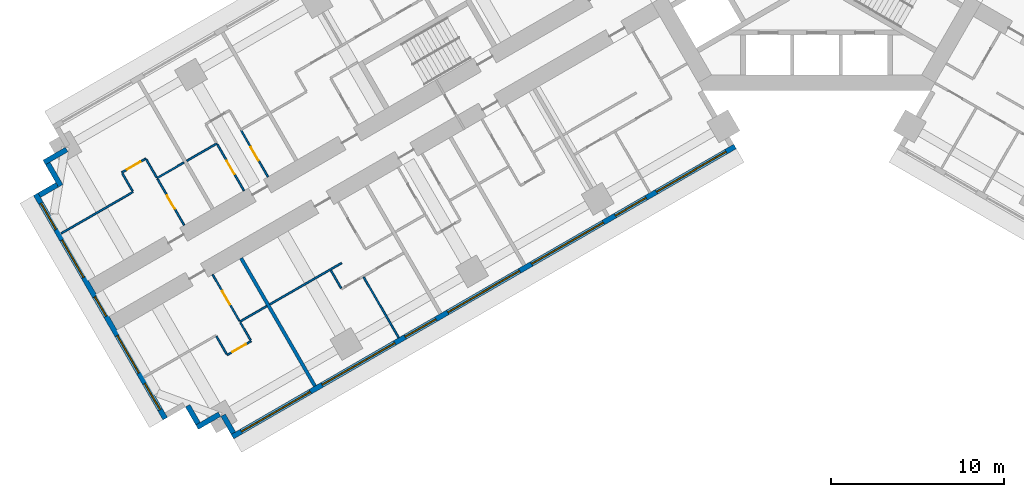
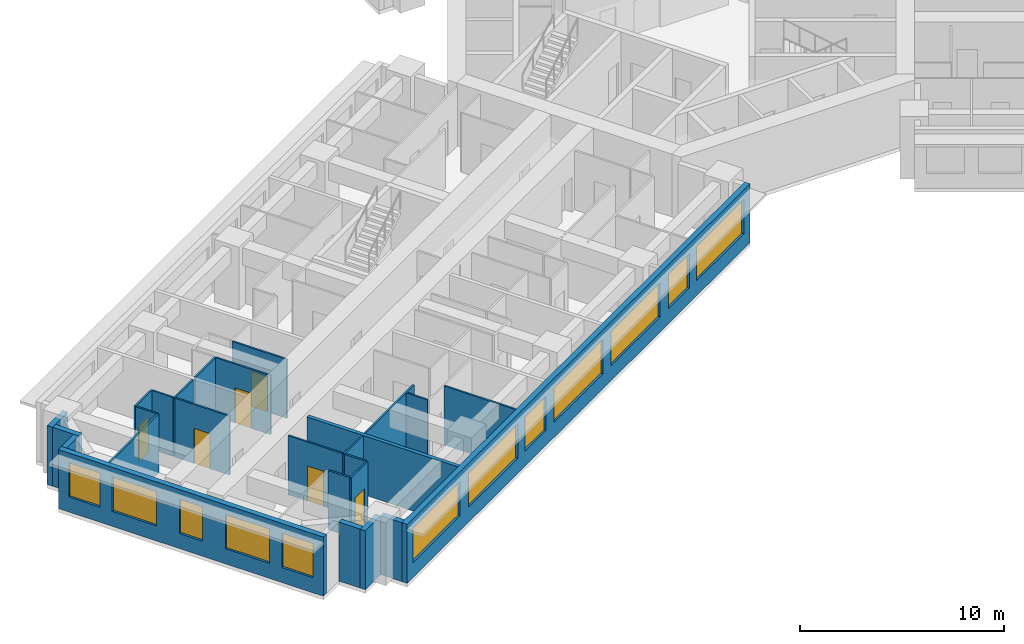
# One storey, part 3 of 16: 26 walls, 12 windows, 6 doors, 18 openings.
"""IFC4 building model written with IfcOpenShell, lengths in metres."""

from ifc_helpers import new_model, si_unit, direction, frame, frame_2d, origin, place, context, subcontext, project, spatial, rectangle, extrude, material, layer, layer_set, type_object, element, fill, save


model = new_model("IFC4")

# Units and contexts
model_context = context("Model", 3, precision=1e-05, world=origin(), true_north=direction((0.0, 1.0)))
body_context = subcontext(model_context, "Body", "Model", "MODEL_VIEW")
ifc_project = project(units=[si_unit("LENGTHUNIT", "METRE"), si_unit("AREAUNIT", "SQUARE_METRE"), si_unit("VOLUMEUNIT", "CUBIC_METRE"), si_unit("PLANEANGLEUNIT", "RADIAN"), si_unit("MASSUNIT", "GRAM", prefix="KILO")], contexts=[model_context])

# Site, building, storey
site_placement = place(None, origin())
site = spatial("IfcSite", under=ifc_project, at=site_placement, CompositionType="ELEMENT")
building_placement = place(site_placement, origin())
building = spatial("IfcBuilding", under=site, at=building_placement, Name="Impinga Residences", CompositionType="ELEMENT")
storey_placement = place(building_placement, frame((0.0, 0.0, 59.75)))
storey = spatial("IfcBuildingStorey", under=building, at=storey_placement, Name="L14", CompositionType="ELEMENT", Elevation=59.75)

# Walls
ifc_material_1 = material(Name="Terracotta rainscreen on blockwork", Category="masonry")
ifc_layer_1 = layer(ifc_material_1, 0.300048828125)
ifc_layer_set_1 = layer_set([ifc_layer_1], Name="EW1 external wall, terracotta rainscreen on blockwork 300")
wall_type_1 = type_object("IfcWallType", Name="EW1 external wall, terracotta rainscreen on blockwork 300", PredefinedType="SOLIDWALL", material=ifc_layer_set_1)
wall_1_placement = place(storey_placement, frame((-33.7685546875, -31.274169921875, 0.0), z_axis=(0.0, 0.0, 1.0), x_axis=(-0.499940577336, 0.866059708757, 0.0)))
element("IfcWall", 1, at=wall_1_placement, inside=storey, type_object=wall_type_1, Name="External wall EW1 L14", PredefinedType="SOLIDWALL", context=body_context, shape_type="SweptSolid", body=[
    extrude(rectangle(XDim=1.195068359375, YDim=0.300048828125, at=frame_2d((0.59765625, 0.0))), origin(), (0.0, 0.0, 1.0), 3.530029296875),
])
wall_2_placement = place(storey_placement, frame((-34.573486328125, -30.18017578125, 0.0), z_axis=(0.0, 0.0, 1.0), x_axis=(-0.866031096941, -0.499990139034, 0.0)))
element("IfcWall", 2, at=wall_2_placement, inside=storey, type_object=wall_type_1, Name="External wall EW1 L14", PredefinedType="SOLIDWALL", context=body_context, shape_type="SweptSolid", body=[
    extrude(rectangle(XDim=1.5, YDim=0.300048828125, at=frame_2d((0.75, 0.0))), origin(), (0.0, 0.0, 1.0), 3.530029296875),
])
wall_3_placement = place(storey_placement, frame((-35.817626953125, -30.72509765625, 0.0), z_axis=(0.0, 0.0, 1.0), x_axis=(-0.499969057507, 0.866043267704, 0.0)))
element("IfcWall", 3, at=wall_3_placement, inside=storey, type_object=wall_type_1, Name="External wall EW1 L14", PredefinedType="SOLIDWALL", context=body_context, shape_type="SweptSolid", body=[
    extrude(rectangle(XDim=1.19970703125, YDim=0.300048828125, at=frame_2d((0.599853515625, 0.0))), origin(), (0.0, 0.0, 1.0), 3.530029296875),
])

# Wall, openings, windows
wall_4_placement = place(storey_placement, frame((-37.716552734375, -30.43603515625, 0.0), z_axis=(0.0, 0.0, 1.0), x_axis=(-0.499997186618, 0.866027028085, 0.0)))
wall_4 = element("IfcWall", 4, at=wall_4_placement, inside=storey, type_object=wall_type_1, Name="External wall EW1 L14", PredefinedType="SOLIDWALL", context=body_context, shape_type="SweptSolid", body=[
    extrude(rectangle(XDim=15.0, YDim=0.300048828125, at=frame_2d((7.5, 0.0))), origin(), (0.0, 0.0, 1.0), 3.530029296875),
])
opening_1_placement = place(wall_4_placement, frame((0.60009765625, 0.0, 0.89990234375)))
opening_1 = element("IfcOpeningElement", 5, at=opening_1_placement, cuts=wall_4, Name="Opening W1", PredefinedType="OPENING", context=body_context, shape_type="SweptSolid", body=[
    extrude(rectangle(XDim=1.75, YDim=2.050048828125, at=frame_2d((0.875, 1.02490234375))), frame((0.0, 0.159912109375, 0.0), z_axis=(0.0, -1.0, 0.0), x_axis=(1.0, 0.0, 0.0)), (0.0, 0.0, 1.0), 0.320068359375),
])
opening_2_placement = place(wall_4_placement, frame((3.050048828125, 0.0, 0.89990234375)))
opening_2 = element("IfcOpeningElement", 6, at=opening_2_placement, cuts=wall_4, Name="Opening W2", PredefinedType="OPENING", context=body_context, shape_type="SweptSolid", body=[
    extrude(rectangle(XDim=2.5, YDim=2.050048828125, at=frame_2d((1.25, 1.02490234375))), frame((0.0, 0.159912109375, 0.0), z_axis=(0.0, -1.0, 0.0), x_axis=(1.0, 0.0, 0.0)), (0.0, 0.0, 1.0), 0.320068359375),
])
opening_3_placement = place(wall_4_placement, frame((6.85009765625, 0.0, 0.89990234375)))
opening_3 = element("IfcOpeningElement", 7, at=opening_3_placement, cuts=wall_4, Name="Opening WE1", PredefinedType="OPENING", context=body_context, shape_type="SweptSolid", body=[
    extrude(rectangle(XDim=1.300048828125, YDim=2.050048828125, at=frame_2d((0.64990234375, 1.02490234375))), frame((0.0, 0.159912109375, 0.0), z_axis=(0.0, -1.0, 0.0), x_axis=(1.0, 0.0, 0.0)), (0.0, 0.0, 1.0), 0.320068359375),
])
opening_4_placement = place(wall_4_placement, frame((9.449951171875, 0.0, 0.89990234375)))
opening_4 = element("IfcOpeningElement", 8, at=opening_4_placement, cuts=wall_4, Name="Opening W2", PredefinedType="OPENING", context=body_context, shape_type="SweptSolid", body=[
    extrude(rectangle(XDim=2.5, YDim=2.050048828125, at=frame_2d((1.25, 1.02490234375))), frame((0.0, 0.159912109375, 0.0), z_axis=(0.0, -1.0, 0.0), x_axis=(1.0, 0.0, 0.0)), (0.0, 0.0, 1.0), 0.320068359375),
])
opening_5_placement = place(wall_4_placement, frame((12.64990234375, 0.0, 0.89990234375)))
opening_5 = element("IfcOpeningElement", 9, at=opening_5_placement, cuts=wall_4, Name="Opening W1", PredefinedType="OPENING", context=body_context, shape_type="SweptSolid", body=[
    extrude(rectangle(XDim=1.75, YDim=2.050048828125, at=frame_2d((0.875, 1.02490234375))), frame((0.0, 0.159912109375, 0.0), z_axis=(0.0, -1.0, 0.0), x_axis=(1.0, 0.0, 0.0)), (0.0, 0.0, 1.0), 0.320068359375),
])
ifc_material_2 = material(Name="Aluminium window, clear double glazing", Category="aluminium")
window_type_1 = type_object("IfcWindowType", Name="W1 ribbon window 1750x2050", PartitioningType="SINGLE_PANEL", PredefinedType="WINDOW", material=ifc_material_2)
window_1_placement = place(opening_1_placement, origin())
window_1 = element("IfcWindow", 10, at=window_1_placement, inside=storey, type_object=window_type_1, Name="Window L14", OverallHeight=2.050048828125, OverallWidth=1.75, PartitioningType="SINGLE_PANEL", PredefinedType="WINDOW", context=body_context, shape_type="SweptSolid", body=[
    extrude(rectangle(XDim=1.75, YDim=2.050048828125, at=frame_2d((0.875, 1.02490234375))), frame((0.0, 0.030029296875, 0.0), z_axis=(0.0, -1.0, 0.0), x_axis=(1.0, 0.0, 0.0)), (0.0, 0.0, 1.0), 0.06005859375),
])
fill(opening_1, window_1)
window_2_placement = place(opening_5_placement, origin())
window_2 = element("IfcWindow", 11, at=window_2_placement, inside=storey, type_object=window_type_1, Name="Window L14", OverallHeight=2.050048828125, OverallWidth=1.75, PartitioningType="SINGLE_PANEL", PredefinedType="WINDOW", context=body_context, shape_type="SweptSolid", body=[
    extrude(rectangle(XDim=1.75, YDim=2.050048828125, at=frame_2d((0.875, 1.02490234375))), frame((0.0, 0.030029296875, 0.0), z_axis=(0.0, -1.0, 0.0), x_axis=(1.0, 0.0, 0.0)), (0.0, 0.0, 1.0), 0.06005859375),
])
fill(opening_5, window_2)
window_type_2 = type_object("IfcWindowType", Name="W2 ribbon window 2500x2050", PartitioningType="SINGLE_PANEL", PredefinedType="WINDOW", material=ifc_material_2)
window_3_placement = place(opening_2_placement, origin())
window_3 = element("IfcWindow", 12, at=window_3_placement, inside=storey, type_object=window_type_2, Name="Window L14", OverallHeight=2.050048828125, OverallWidth=2.5, PartitioningType="SINGLE_PANEL", PredefinedType="WINDOW", context=body_context, shape_type="SweptSolid", body=[
    extrude(rectangle(XDim=2.5, YDim=2.050048828125, at=frame_2d((1.25, 1.02490234375))), frame((0.0, 0.030029296875, 0.0), z_axis=(0.0, -1.0, 0.0), x_axis=(1.0, 0.0, 0.0)), (0.0, 0.0, 1.0), 0.06005859375),
])
fill(opening_2, window_3)
window_4_placement = place(opening_4_placement, origin())
window_4 = element("IfcWindow", 13, at=window_4_placement, inside=storey, type_object=window_type_2, Name="Window L14", OverallHeight=2.050048828125, OverallWidth=2.5, PartitioningType="SINGLE_PANEL", PredefinedType="WINDOW", context=body_context, shape_type="SweptSolid", body=[
    extrude(rectangle(XDim=2.5, YDim=2.050048828125, at=frame_2d((1.25, 1.02490234375))), frame((0.0, 0.030029296875, 0.0), z_axis=(0.0, -1.0, 0.0), x_axis=(1.0, 0.0, 0.0)), (0.0, 0.0, 1.0), 0.06005859375),
])
fill(opening_4, window_4)
window_type_3 = type_object("IfcWindowType", Name="WE1 corridor window 1300x2050", PartitioningType="SINGLE_PANEL", PredefinedType="WINDOW", material=ifc_material_2)
window_5_placement = place(opening_3_placement, origin())
window_5 = element("IfcWindow", 14, at=window_5_placement, inside=storey, type_object=window_type_3, Name="Window L14", OverallHeight=2.050048828125, OverallWidth=1.300048828125, PartitioningType="SINGLE_PANEL", PredefinedType="WINDOW", context=body_context, shape_type="SweptSolid", body=[
    extrude(rectangle(XDim=1.300048828125, YDim=2.050048828125, at=frame_2d((0.64990234375, 1.02490234375))), frame((0.0, 0.030029296875, 0.0), z_axis=(0.0, -1.0, 0.0), x_axis=(1.0, 0.0, 0.0)), (0.0, 0.0, 1.0), 0.06005859375),
])
fill(opening_3, window_5)

# Walls
wall_5_placement = place(storey_placement, frame((-45.01171875, -17.50048828125, 0.0), z_axis=(0.0, 0.0, 1.0), x_axis=(0.866059708757, 0.499940577336, 0.0)))
element("IfcWall", 15, at=wall_5_placement, inside=storey, type_object=wall_type_1, Name="External wall EW1 L14", PredefinedType="SOLIDWALL", context=body_context, shape_type="SweptSolid", body=[
    extrude(rectangle(XDim=1.195068359375, YDim=0.300048828125, at=frame_2d((0.59765625, 0.0))), origin(), (0.0, 0.0, 1.0), 3.530029296875),
])
for number, where, z_axis, x_axis, name in (
    (16, (-43.767578125, -16.955322265625, 0.0), (0.0, 0.0, 1.0), (-0.499990139034, 0.866031096941, 0.0), "External wall EW1 L14"),
    (17, (-44.722412109375, -15.6015625, 0.0), (0.0, 0.0, 1.0), (0.866031096941, 0.499990139034, 0.0), "External wall EW1 L14"),
):
    element("IfcWall", number, at=place(storey_placement, frame(where, z_axis=z_axis, x_axis=x_axis)), inside=storey, type_object=wall_type_1, Name=name, PredefinedType="SOLIDWALL", context=body_context, shape_type="SweptSolid", body=[
        extrude(rectangle(XDim=1.5, YDim=0.300048828125, at=frame_2d((0.75, 0.0))), origin(), (0.0, 0.0, 1.0), 3.530029296875),
    ])

# Wall, openings, windows
wall_6_placement = place(storey_placement, frame((-4.72509765625, -14.67919921875, 0.0), z_axis=(0.0, 0.0, 1.0), x_axis=(-0.866024291668, -0.500001926238, 0.0)))
wall_6 = element("IfcWall", 18, at=wall_6_placement, inside=storey, type_object=wall_type_1, Name="External wall EW1 L14", PredefinedType="SOLIDWALL", context=body_context, shape_type="SweptSolid", body=[
    extrude(rectangle(XDim=33.599853515625, YDim=0.300048828125, at=frame_2d((16.7998046875, 0.0))), origin(), (0.0, 0.0, 1.0), 3.530029296875),
])
opening_6_placement = place(wall_6_placement, frame((0.60009765625, 0.0, 0.89990234375)))
opening_6 = element("IfcOpeningElement", 19, at=opening_6_placement, cuts=wall_6, Name="Opening W10", PredefinedType="OPENING", context=body_context, shape_type="SweptSolid", body=[
    extrude(rectangle(XDim=4.64990234375, YDim=2.050048828125, at=frame_2d((2.324951171875, 1.02490234375))), frame((0.0, 0.159912109375, 0.0), z_axis=(0.0, -1.0, 0.0), x_axis=(1.0, 0.0, 0.0)), (0.0, 0.0, 1.0), 0.320068359375),
])
opening_7_placement = place(wall_6_placement, frame((5.949951171875, 0.0, 0.89990234375)))
opening_7 = element("IfcOpeningElement", 20, at=opening_7_placement, cuts=wall_6, Name="Opening W14", PredefinedType="OPENING", context=body_context, shape_type="SweptSolid", body=[
    extrude(rectangle(XDim=2.050048828125, YDim=2.050048828125, at=frame_2d((1.02490234375, 1.02490234375))), frame((0.0, 0.159912109375, 0.0), z_axis=(0.0, -1.0, 0.0), x_axis=(1.0, 0.0, 0.0)), (0.0, 0.0, 1.0), 0.320068359375),
])
opening_8_placement = place(wall_6_placement, frame((8.800048828125, 0.0, 0.89990234375)))
opening_8 = element("IfcOpeningElement", 21, at=opening_8_placement, cuts=wall_6, Name="Opening W8", PredefinedType="OPENING", context=body_context, shape_type="SweptSolid", body=[
    extrude(rectangle(XDim=4.800048828125, YDim=2.050048828125, at=frame_2d((2.39990234375, 1.02490234375))), frame((0.0, 0.159912109375, 0.0), z_axis=(0.0, -1.0, 0.0), x_axis=(1.0, 0.0, 0.0)), (0.0, 0.0, 1.0), 0.320068359375),
])
opening_9_placement = place(wall_6_placement, frame((14.39990234375, 0.0, 0.89990234375)))
opening_9 = element("IfcOpeningElement", 22, at=opening_9_placement, cuts=wall_6, Name="Opening W8", PredefinedType="OPENING", context=body_context, shape_type="SweptSolid", body=[
    extrude(rectangle(XDim=4.800048828125, YDim=2.050048828125, at=frame_2d((2.39990234375, 1.02490234375))), frame((0.0, 0.159912109375, 0.0), z_axis=(0.0, -1.0, 0.0), x_axis=(1.0, 0.0, 0.0)), (0.0, 0.0, 1.0), 0.320068359375),
])
opening_10_placement = place(wall_6_placement, frame((20.0, 0.0, 0.89990234375)))
opening_10 = element("IfcOpeningElement", 23, at=opening_10_placement, cuts=wall_6, Name="Opening W14", PredefinedType="OPENING", context=body_context, shape_type="SweptSolid", body=[
    extrude(rectangle(XDim=2.050048828125, YDim=2.050048828125, at=frame_2d((1.02490234375, 1.02490234375))), frame((0.0, 0.159912109375, 0.0), z_axis=(0.0, -1.0, 0.0), x_axis=(1.0, 0.0, 0.0)), (0.0, 0.0, 1.0), 0.320068359375),
])
opening_11_placement = place(wall_6_placement, frame((22.75, 0.0, 0.89990234375)))
opening_11 = element("IfcOpeningElement", 24, at=opening_11_placement, cuts=wall_6, Name="Opening W6", PredefinedType="OPENING", context=body_context, shape_type="SweptSolid", body=[
    extrude(rectangle(XDim=4.85009765625, YDim=2.050048828125, at=frame_2d((2.425048828125, 1.02490234375))), frame((0.0, 0.159912109375, 0.0), z_axis=(0.0, -1.0, 0.0), x_axis=(1.0, 0.0, 0.0)), (0.0, 0.0, 1.0), 0.320068359375),
])
opening_12_placement = place(wall_6_placement, frame((28.39990234375, 0.0, 0.89990234375)))
opening_12 = element("IfcOpeningElement", 25, at=opening_12_placement, cuts=wall_6, Name="Opening W3", PredefinedType="OPENING", context=body_context, shape_type="SweptSolid", body=[
    extrude(rectangle(XDim=4.60009765625, YDim=2.050048828125, at=frame_2d((2.300048828125, 1.02490234375))), frame((0.0, 0.159912109375, 0.0), z_axis=(0.0, -1.0, 0.0), x_axis=(1.0, 0.0, 0.0)), (0.0, 0.0, 1.0), 0.320068359375),
])
window_type_4 = type_object("IfcWindowType", Name="W10 ribbon window 4650x2050", PartitioningType="SINGLE_PANEL", PredefinedType="WINDOW", material=ifc_material_2)
window_6_placement = place(opening_6_placement, origin())
window_6 = element("IfcWindow", 26, at=window_6_placement, inside=storey, type_object=window_type_4, Name="Window L14", OverallHeight=2.050048828125, OverallWidth=4.64990234375, PartitioningType="SINGLE_PANEL", PredefinedType="WINDOW", context=body_context, shape_type="SweptSolid", body=[
    extrude(rectangle(XDim=4.64990234375, YDim=2.050048828125, at=frame_2d((2.324951171875, 1.02490234375))), frame((0.0, 0.030029296875, 0.0), z_axis=(0.0, -1.0, 0.0), x_axis=(1.0, 0.0, 0.0)), (0.0, 0.0, 1.0), 0.06005859375),
])
fill(opening_6, window_6)
window_type_5 = type_object("IfcWindowType", Name="W14 ribbon window 2050x2050", PartitioningType="SINGLE_PANEL", PredefinedType="WINDOW", material=ifc_material_2)
window_7_placement = place(opening_7_placement, origin())
window_7 = element("IfcWindow", 27, at=window_7_placement, inside=storey, type_object=window_type_5, Name="Window L14", OverallHeight=2.050048828125, OverallWidth=2.050048828125, PartitioningType="SINGLE_PANEL", PredefinedType="WINDOW", context=body_context, shape_type="SweptSolid", body=[
    extrude(rectangle(XDim=2.050048828125, YDim=2.050048828125, at=frame_2d((1.02490234375, 1.02490234375))), frame((0.0, 0.030029296875, 0.0), z_axis=(0.0, -1.0, 0.0), x_axis=(1.0, 0.0, 0.0)), (0.0, 0.0, 1.0), 0.06005859375),
])
fill(opening_7, window_7)
window_8_placement = place(opening_10_placement, origin())
window_8 = element("IfcWindow", 28, at=window_8_placement, inside=storey, type_object=window_type_5, Name="Window L14", OverallHeight=2.050048828125, OverallWidth=2.050048828125, PartitioningType="SINGLE_PANEL", PredefinedType="WINDOW", context=body_context, shape_type="SweptSolid", body=[
    extrude(rectangle(XDim=2.050048828125, YDim=2.050048828125, at=frame_2d((1.02490234375, 1.02490234375))), frame((0.0, 0.030029296875, 0.0), z_axis=(0.0, -1.0, 0.0), x_axis=(1.0, 0.0, 0.0)), (0.0, 0.0, 1.0), 0.06005859375),
])
fill(opening_10, window_8)
window_type_6 = type_object("IfcWindowType", Name="W3 ribbon window 4600x2050", PartitioningType="SINGLE_PANEL", PredefinedType="WINDOW", material=ifc_material_2)
window_9_placement = place(opening_12_placement, origin())
window_9 = element("IfcWindow", 29, at=window_9_placement, inside=storey, type_object=window_type_6, Name="Window L14", OverallHeight=2.050048828125, OverallWidth=4.60009765625, PartitioningType="SINGLE_PANEL", PredefinedType="WINDOW", context=body_context, shape_type="SweptSolid", body=[
    extrude(rectangle(XDim=4.60009765625, YDim=2.050048828125, at=frame_2d((2.300048828125, 1.02490234375))), frame((0.0, 0.030029296875, 0.0), z_axis=(0.0, -1.0, 0.0), x_axis=(1.0, 0.0, 0.0)), (0.0, 0.0, 1.0), 0.06005859375),
])
fill(opening_12, window_9)
window_type_7 = type_object("IfcWindowType", Name="W6 ribbon window 4850x2050", PartitioningType="SINGLE_PANEL", PredefinedType="WINDOW", material=ifc_material_2)
window_10_placement = place(opening_11_placement, origin())
window_10 = element("IfcWindow", 30, at=window_10_placement, inside=storey, type_object=window_type_7, Name="Window L14", OverallHeight=2.050048828125, OverallWidth=4.85009765625, PartitioningType="SINGLE_PANEL", PredefinedType="WINDOW", context=body_context, shape_type="SweptSolid", body=[
    extrude(rectangle(XDim=4.85009765625, YDim=2.050048828125, at=frame_2d((2.425048828125, 1.02490234375))), frame((0.0, 0.030029296875, 0.0), z_axis=(0.0, -1.0, 0.0), x_axis=(1.0, 0.0, 0.0)), (0.0, 0.0, 1.0), 0.06005859375),
])
fill(opening_11, window_10)
window_type_8 = type_object("IfcWindowType", Name="W8 ribbon window 4800x2050", PartitioningType="SINGLE_PANEL", PredefinedType="WINDOW", material=ifc_material_2)
window_11_placement = place(opening_8_placement, origin())
window_11 = element("IfcWindow", 31, at=window_11_placement, inside=storey, type_object=window_type_8, Name="Window L14", OverallHeight=2.050048828125, OverallWidth=4.800048828125, PartitioningType="SINGLE_PANEL", PredefinedType="WINDOW", context=body_context, shape_type="SweptSolid", body=[
    extrude(rectangle(XDim=4.800048828125, YDim=2.050048828125, at=frame_2d((2.39990234375, 1.02490234375))), frame((0.0, 0.030029296875, 0.0), z_axis=(0.0, -1.0, 0.0), x_axis=(1.0, 0.0, 0.0)), (0.0, 0.0, 1.0), 0.06005859375),
])
fill(opening_8, window_11)
window_12_placement = place(opening_9_placement, origin())
window_12 = element("IfcWindow", 32, at=window_12_placement, inside=storey, type_object=window_type_8, Name="Window L14", OverallHeight=2.050048828125, OverallWidth=4.800048828125, PartitioningType="SINGLE_PANEL", PredefinedType="WINDOW", context=body_context, shape_type="SweptSolid", body=[
    extrude(rectangle(XDim=4.800048828125, YDim=2.050048828125, at=frame_2d((2.39990234375, 1.02490234375))), frame((0.0, 0.030029296875, 0.0), z_axis=(0.0, -1.0, 0.0), x_axis=(1.0, 0.0, 0.0)), (0.0, 0.0, 1.0), 0.06005859375),
])
fill(opening_9, window_12)

# Walls
ifc_material_3 = material(Name="Gypsum board on steel studs", Category="steel")
ifc_layer_2 = layer(ifc_material_3, 0.10009765625)
ifc_layer_set_2 = layer_set([ifc_layer_2], Name="Gypsum board on steel studs")
wall_type_2 = type_object("IfcWallType", Name="IP1 partition 100", PredefinedType="PARTITIONING", material=ifc_layer_set_2)
wall_7_placement = place(storey_placement, frame((-27.505126953125, -21.422607421875, 0.0), z_axis=(0.0, 0.0, 1.0), x_axis=(-0.866015339567, -0.500017431331, 0.0)))
element("IfcWall", 33, at=wall_7_placement, inside=storey, type_object=wall_type_2, Name="Partition L14-WA4:DIV1", PredefinedType="PARTITIONING", context=body_context, shape_type="SweptSolid", body=[
    extrude(rectangle(XDim=4.800048828125, YDim=0.10009765625, at=frame_2d((2.39990234375, 0.0))), origin(), (0.0, 0.0, 1.0), 3.530029296875),
])
wall_8_placement = place(storey_placement, frame((-28.129638671875, -21.841064453125, 0.0), z_axis=(0.0, 0.0, 1.0), x_axis=(0.499969057507, -0.866043267704, 0.0)))
element("IfcWall", 34, at=wall_8_placement, inside=storey, type_object=wall_type_2, Name="Partition L14-WA4:SE1", PredefinedType="PARTITIONING", context=body_context, shape_type="SweptSolid", body=[
    extrude(rectangle(XDim=1.19970703125, YDim=0.10009765625, at=frame_2d((0.599853515625, 0.0))), origin(), (0.0, 0.0, 1.0), 3.530029296875),
])
wall_9_placement = place(storey_placement, frame((-26.223876953125, -22.241943359375, 0.0), z_axis=(0.0, 0.0, 1.0), x_axis=(0.499990325971, -0.866030989016, 0.0)))
element("IfcWall", 35, at=wall_9_placement, inside=storey, type_object=wall_type_2, Name="Partition L14-WA4:OB1", PredefinedType="PARTITIONING", context=body_context, shape_type="SweptSolid", body=[
    extrude(rectangle(XDim=4.0498046875, YDim=0.10009765625, at=frame_2d((2.02490234375, 0.0))), origin(), (0.0, 0.0, 1.0), 3.530029296875),
])
wall_10_placement = place(storey_placement, frame((-31.835205078125, -23.922607421875, 0.0), z_axis=(0.0, 0.0, 1.0), x_axis=(-0.865989075817, -0.500062916607, 0.0)))
element("IfcWall", 36, at=wall_10_placement, inside=storey, type_object=wall_type_2, Name="Partition L14-WA5:DIV0", PredefinedType="PARTITIONING", context=body_context, shape_type="SweptSolid", body=[
    extrude(rectangle(XDim=1.800048828125, YDim=0.10009765625, at=frame_2d((0.89990234375, 0.0))), origin(), (0.0, 0.0, 1.0), 3.530029296875),
])

# Wall, opening, door
wall_11_placement = place(storey_placement, frame((-32.744140625, -25.948486328125, 0.0), z_axis=(0.0, 0.0, 1.0), x_axis=(-0.866028054938, -0.499995408039, 0.0)))
wall_11 = element("IfcWall", 37, at=wall_11_placement, inside=storey, type_object=wall_type_2, Name="Partition L14-WA5:STRIP", PredefinedType="PARTITIONING", context=body_context, shape_type="SweptSolid", body=[
    extrude(rectangle(XDim=1.60009765625, YDim=0.10009765625, at=frame_2d((0.800048828125, 0.0))), origin(), (0.0, 0.0, 1.0), 3.530029296875),
])
opening_13_placement = place(wall_11_placement, frame((0.35009765625, 0.0, 0.0)))
opening_13 = element("IfcOpeningElement", 38, at=opening_13_placement, cuts=wall_11, Name="Opening D2", PredefinedType="OPENING", context=body_context, shape_type="SweptSolid", body=[
    extrude(rectangle(XDim=0.89990234375, YDim=2.10009765625, at=frame_2d((0.449951171875, 1.050048828125))), frame((0.0, 0.06005859375, 0.0), z_axis=(0.0, -1.0, 0.0), x_axis=(1.0, 0.0, 0.0)), (0.0, 0.0, 1.0), 0.1201171875),
])
ifc_material_4 = material(Name="Timber door set", Category="wood")
door_type = type_object("IfcDoorType", Name="D2 internal door 900x2100", OperationType="SINGLE_SWING_LEFT", PredefinedType="DOOR", material=ifc_material_4)
door_1_placement = place(opening_13_placement, origin())
door_1 = element("IfcDoor", 39, at=door_1_placement, inside=storey, type_object=door_type, Name="Apartment L14-WA5 room door", OperationType="SINGLE_SWING_LEFT", OverallHeight=2.10009765625, OverallWidth=0.89990234375, PredefinedType="DOOR", context=body_context, shape_type="SweptSolid", body=[
    extrude(rectangle(XDim=0.89990234375, YDim=2.10009765625, at=frame_2d((0.449951171875, 1.050048828125))), frame((0.0, 0.02490234375, 0.0), z_axis=(0.0, -1.0, 0.0), x_axis=(1.0, 0.0, 0.0)), (0.0, 0.0, 1.0), 0.050048828125),
])
fill(opening_13, door_1)

# Walls
for number, where, z_axis, x_axis, name in (
    (40, (-33.369140625, -24.865966796875, 0.0), (0.0, 0.0, 1.0), (0.500033551112, -0.866006032174, 0.0), "Partition L14-WA5:SE0"),
    (41, (-34.7548828125, -25.666015625, 0.0), (0.0, 0.0, 1.0), (0.500033551112, -0.866006032174, 0.0), "Partition L14-WA5:SE1"),
):
    element("IfcWall", number, at=place(storey_placement, frame(where, z_axis=z_axis, x_axis=x_axis)), inside=storey, type_object=wall_type_2, Name=name, PredefinedType="PARTITIONING", context=body_context, shape_type="SweptSolid", body=[
        extrude(rectangle(XDim=1.2001953125, YDim=0.10009765625, at=frame_2d((0.60009765625, 0.0))), origin(), (0.0, 0.0, 1.0), 3.530029296875),
    ])

# Wall, opening, door
wall_12_placement = place(storey_placement, frame((-34.96923828125, -22.0947265625, 0.0), z_axis=(0.0, 0.0, 1.0), x_axis=(0.500026960575, -0.86600983753, 0.0)))
wall_12 = element("IfcWall", 42, at=wall_12_placement, inside=storey, type_object=wall_type_2, Name="Partition L14-WA5:IB1", PredefinedType="PARTITIONING", context=body_context, shape_type="SweptSolid", body=[
    extrude(rectangle(XDim=3.099853515625, YDim=0.10009765625, at=frame_2d((1.5498046875, 0.0))), origin(), (0.0, 0.0, 1.0), 3.530029296875),
])
opening_14_placement = place(wall_12_placement, frame((1.10009765625, 0.0, 0.0)))
opening_14 = element("IfcOpeningElement", 43, at=opening_14_placement, cuts=wall_12, Name="Opening D2", PredefinedType="OPENING", context=body_context, shape_type="SweptSolid", body=[
    extrude(rectangle(XDim=0.89990234375, YDim=2.10009765625, at=frame_2d((0.449951171875, 1.050048828125))), frame((0.0, 0.06005859375, 0.0), z_axis=(0.0, -1.0, 0.0), x_axis=(1.0, 0.0, 0.0)), (0.0, 0.0, 1.0), 0.1201171875),
])
door_2_placement = place(opening_14_placement, origin())
door_2 = element("IfcDoor", 44, at=door_2_placement, inside=storey, type_object=door_type, Name="Apartment L14-WA5 bathroom door", OperationType="SINGLE_SWING_LEFT", OverallHeight=2.10009765625, OverallWidth=0.89990234375, PredefinedType="DOOR", context=body_context, shape_type="SweptSolid", body=[
    extrude(rectangle(XDim=0.89990234375, YDim=2.10009765625, at=frame_2d((0.449951171875, 1.050048828125))), frame((0.0, 0.02490234375, 0.0), z_axis=(0.0, -1.0, 0.0), x_axis=(1.0, 0.0, 0.0)), (0.0, 0.0, 1.0), 0.050048828125),
])
fill(opening_14, door_2)

# Wall
wall_13_placement = place(storey_placement, frame((-34.72998046875, -14.5087890625, 0.0), z_axis=(0.0, 0.0, 1.0), x_axis=(-0.866041268327, -0.499972520799, 0.0)))
element("IfcWall", 45, at=wall_13_placement, inside=storey, type_object=wall_type_2, Name="Partition L14-WF3:DIV1", PredefinedType="PARTITIONING", context=body_context, shape_type="SweptSolid", body=[
    extrude(rectangle(XDim=2.0, YDim=0.10009765625, at=frame_2d((1.0, 0.0))), origin(), (0.0, 0.0, 1.0), 3.530029296875),
])

# Wall, opening, door
wall_14_placement = place(storey_placement, frame((-31.76953125, -16.436767578125, 0.0), z_axis=(0.0, 0.0, 1.0), x_axis=(-0.499967891604, 0.866043940782, 0.0)))
wall_14 = element("IfcWall", 46, at=wall_14_placement, inside=storey, type_object=wall_type_2, Name="Partition L14-WF3:IB1", PredefinedType="PARTITIONING", context=body_context, shape_type="SweptSolid", body=[
    extrude(rectangle(XDim=3.099853515625, YDim=0.10009765625, at=frame_2d((1.5498046875, 0.0))), origin(), (0.0, 0.0, 1.0), 3.530029296875),
])
opening_15_placement = place(wall_14_placement, frame((1.10009765625, 0.0, 0.0)))
opening_15 = element("IfcOpeningElement", 47, at=opening_15_placement, cuts=wall_14, Name="Opening D2", PredefinedType="OPENING", context=body_context, shape_type="SweptSolid", body=[
    extrude(rectangle(XDim=0.89990234375, YDim=2.10009765625, at=frame_2d((0.449951171875, 1.050048828125))), frame((0.0, 0.06005859375, 0.0), z_axis=(0.0, -1.0, 0.0), x_axis=(1.0, 0.0, 0.0)), (0.0, 0.0, 1.0), 0.1201171875),
])
door_3_placement = place(opening_15_placement, origin())
door_3 = element("IfcDoor", 48, at=door_3_placement, inside=storey, type_object=door_type, Name="Apartment L14-WF3 bathroom door", OperationType="SINGLE_SWING_LEFT", OverallHeight=2.10009765625, OverallWidth=0.89990234375, PredefinedType="DOOR", context=body_context, shape_type="SweptSolid", body=[
    extrude(rectangle(XDim=0.89990234375, YDim=2.10009765625, at=frame_2d((0.449951171875, 1.050048828125))), frame((0.0, 0.02490234375, 0.0), z_axis=(0.0, -1.0, 0.0), x_axis=(1.0, 0.0, 0.0)), (0.0, 0.0, 1.0), 0.050048828125),
])
fill(opening_15, door_3)

wall_15_placement = place(storey_placement, frame((-33.155029296875, -17.23681640625, 0.0), z_axis=(0.0, 0.0, 1.0), x_axis=(-0.500026960575, 0.86600983753, 0.0)))
wall_15 = element("IfcWall", 49, at=wall_15_placement, inside=storey, type_object=wall_type_2, Name="Partition L14-WF3:IB2", PredefinedType="PARTITIONING", context=body_context, shape_type="SweptSolid", body=[
    extrude(rectangle(XDim=3.099853515625, YDim=0.10009765625, at=frame_2d((1.5498046875, 0.0))), origin(), (0.0, 0.0, 1.0), 3.530029296875),
])
opening_16_placement = place(wall_15_placement, frame((1.10009765625, 0.0, 0.0)))
opening_16 = element("IfcOpeningElement", 50, at=opening_16_placement, cuts=wall_15, Name="Opening D2", PredefinedType="OPENING", context=body_context, shape_type="SweptSolid", body=[
    extrude(rectangle(XDim=0.89990234375, YDim=2.10009765625, at=frame_2d((0.449951171875, 1.050048828125))), frame((0.0, 0.06005859375, 0.0), z_axis=(0.0, -1.0, 0.0), x_axis=(1.0, 0.0, 0.0)), (0.0, 0.0, 1.0), 0.1201171875),
])
door_4_placement = place(opening_16_placement, origin())
door_4 = element("IfcDoor", 51, at=door_4_placement, inside=storey, type_object=door_type, Name="Apartment L14-WF3 WC door", OperationType="SINGLE_SWING_LEFT", OverallHeight=2.10009765625, OverallWidth=0.89990234375, PredefinedType="DOOR", context=body_context, shape_type="SweptSolid", body=[
    extrude(rectangle(XDim=0.89990234375, YDim=2.10009765625, at=frame_2d((0.449951171875, 1.050048828125))), frame((0.0, 0.02490234375, 0.0), z_axis=(0.0, -1.0, 0.0), x_axis=(1.0, 0.0, 0.0)), (0.0, 0.0, 1.0), 0.050048828125),
])
fill(opening_16, door_4)

# Walls
wall_16_placement = place(storey_placement, frame((-36.63525390625, -15.60888671875, 0.0), z_axis=(0.0, 0.0, 1.0), x_axis=(-0.866047807691, -0.499961193289, 0.0)))
element("IfcWall", 52, at=wall_16_placement, inside=storey, type_object=wall_type_2, Name="Partition L14-WF4:DIV0", PredefinedType="PARTITIONING", context=body_context, shape_type="SweptSolid", body=[
    extrude(rectangle(XDim=1.800048828125, YDim=0.10009765625, at=frame_2d((0.89990234375, 0.0))), origin(), (0.0, 0.0, 1.0), 3.530029296875),
])
wall_17_placement = place(storey_placement, frame((-39.579833984375, -17.308837890625, 0.0), z_axis=(0.0, 0.0, 1.0), x_axis=(-0.866037363387, -0.499979284789, 0.0)))
element("IfcWall", 53, at=wall_17_placement, inside=storey, type_object=wall_type_2, Name="Partition L14-WF4:DIV1", PredefinedType="PARTITIONING", context=body_context, shape_type="SweptSolid", body=[
    extrude(rectangle(XDim=4.800048828125, YDim=0.10009765625, at=frame_2d((2.39990234375, 0.0))), origin(), (0.0, 0.0, 1.0), 3.530029296875),
])

# Wall, opening, door
wall_18_placement = place(storey_placement, frame((-38.84423828125, -15.383056640625, 0.0), z_axis=(0.0, 0.0, 1.0), x_axis=(-0.865989903783, -0.500061482766, 0.0)))
wall_18 = element("IfcWall", 54, at=wall_18_placement, inside=storey, type_object=wall_type_2, Name="Partition L14-WF4:STRIP", PredefinedType="PARTITIONING", context=body_context, shape_type="SweptSolid", body=[
    extrude(rectangle(XDim=1.599853515625, YDim=0.10009765625, at=frame_2d((0.7998046875, 0.0))), origin(), (0.0, 0.0, 1.0), 3.530029296875),
])
opening_17_placement = place(wall_18_placement, frame((0.35009765625, 0.0, 0.0)))
opening_17 = element("IfcOpeningElement", 55, at=opening_17_placement, cuts=wall_18, Name="Opening D2", PredefinedType="OPENING", context=body_context, shape_type="SweptSolid", body=[
    extrude(rectangle(XDim=0.89990234375, YDim=2.10009765625, at=frame_2d((0.449951171875, 1.050048828125))), frame((0.0, 0.06005859375, 0.0), z_axis=(0.0, -1.0, 0.0), x_axis=(1.0, 0.0, 0.0)), (0.0, 0.0, 1.0), 0.1201171875),
])
door_5_placement = place(opening_17_placement, origin())
door_5 = element("IfcDoor", 56, at=door_5_placement, inside=storey, type_object=door_type, Name="Apartment L14-WF4 room door", OperationType="SINGLE_SWING_LEFT", OverallHeight=2.10009765625, OverallWidth=0.89990234375, PredefinedType="DOOR", context=body_context, shape_type="SweptSolid", body=[
    extrude(rectangle(XDim=0.89990234375, YDim=2.10009765625, at=frame_2d((0.449951171875, 1.050048828125))), frame((0.0, 0.02490234375, 0.0), z_axis=(0.0, -1.0, 0.0), x_axis=(1.0, 0.0, 0.0)), (0.0, 0.0, 1.0), 0.050048828125),
])
fill(opening_17, door_5)

# Walls
wall_19_placement = place(storey_placement, frame((-38.21923828125, -16.465576171875, 0.0), z_axis=(0.0, 0.0, 1.0), x_axis=(-0.499880961361, 0.866094119867, 0.0)))
element("IfcWall", 57, at=wall_19_placement, inside=storey, type_object=wall_type_2, Name="Partition L14-WF4:SE0", PredefinedType="PARTITIONING", context=body_context, shape_type="SweptSolid", body=[
    extrude(rectangle(XDim=1.199951171875, YDim=0.10009765625, at=frame_2d((0.60009765625, 0.0))), origin(), (0.0, 0.0, 1.0), 3.530029296875),
])
wall_20_placement = place(storey_placement, frame((-39.604736328125, -17.265625, 0.0), z_axis=(0.0, 0.0, 1.0), x_axis=(-0.500033551112, 0.866006032174, 0.0)))
element("IfcWall", 58, at=wall_20_placement, inside=storey, type_object=wall_type_2, Name="Partition L14-WF4:SE1", PredefinedType="PARTITIONING", context=body_context, shape_type="SweptSolid", body=[
    extrude(rectangle(XDim=1.2001953125, YDim=0.10009765625, at=frame_2d((0.60009765625, 0.0))), origin(), (0.0, 0.0, 1.0), 3.530029296875),
])

# Wall, opening, door
wall_21_placement = place(storey_placement, frame((-36.619140625, -19.23681640625, 0.0), z_axis=(0.0, 0.0, 1.0), x_axis=(-0.500026960575, 0.86600983753, 0.0)))
wall_21 = element("IfcWall", 59, at=wall_21_placement, inside=storey, type_object=wall_type_2, Name="Partition L14-WF4:IB1", PredefinedType="PARTITIONING", context=body_context, shape_type="SweptSolid", body=[
    extrude(rectangle(XDim=3.099853515625, YDim=0.10009765625, at=frame_2d((1.5498046875, 0.0))), origin(), (0.0, 0.0, 1.0), 3.530029296875),
])
opening_18_placement = place(wall_21_placement, frame((1.10009765625, 0.0, 0.0)))
opening_18 = element("IfcOpeningElement", 60, at=opening_18_placement, cuts=wall_21, Name="Opening D2", PredefinedType="OPENING", context=body_context, shape_type="SweptSolid", body=[
    extrude(rectangle(XDim=0.89990234375, YDim=2.10009765625, at=frame_2d((0.449951171875, 1.050048828125))), frame((0.0, 0.06005859375, 0.0), z_axis=(0.0, -1.0, 0.0), x_axis=(1.0, 0.0, 0.0)), (0.0, 0.0, 1.0), 0.1201171875),
])
door_6_placement = place(opening_18_placement, origin())
door_6 = element("IfcDoor", 61, at=door_6_placement, inside=storey, type_object=door_type, Name="Apartment L14-WF4 bathroom door", OperationType="SINGLE_SWING_LEFT", OverallHeight=2.10009765625, OverallWidth=0.89990234375, PredefinedType="DOOR", context=body_context, shape_type="SweptSolid", body=[
    extrude(rectangle(XDim=0.89990234375, YDim=2.10009765625, at=frame_2d((0.449951171875, 1.050048828125))), frame((0.0, 0.02490234375, 0.0), z_axis=(0.0, -1.0, 0.0), x_axis=(1.0, 0.0, 0.0)), (0.0, 0.0, 1.0), 0.050048828125),
])
fill(opening_18, door_6)

# Wall
ifc_material_5 = material(Name="Concrete blockwork", Category="masonry")
ifc_layer_3 = layer(ifc_material_5, 0.199951171875)
ifc_layer_set_3 = layer_set([ifc_layer_3], Name="PW1 party wall between apartments 200")
wall_type_3 = type_object("IfcWallType", Name="PW1 party wall between apartments 200", PredefinedType="SOLIDWALL", material=ifc_layer_set_3)
wall_22_placement = place(storey_placement, frame((-33.32373046875, -21.144775390625, 0.0), z_axis=(0.0, 0.0, 1.0), x_axis=(0.499990227581, -0.86603104582, 0.0)))
element("IfcWall", 62, at=wall_22_placement, inside=storey, type_object=wall_type_3, Name="Party wall between apartments L14-WA4:PARTY", PredefinedType="SOLIDWALL", context=body_context, shape_type="SweptSolid", body=[
    extrude(rectangle(XDim=8.550048828125, YDim=0.199951171875, at=frame_2d((4.27490234375, 0.0))), origin(), (0.0, 0.0, 1.0), 3.530029296875),
])

save(model, "model.ifc")
